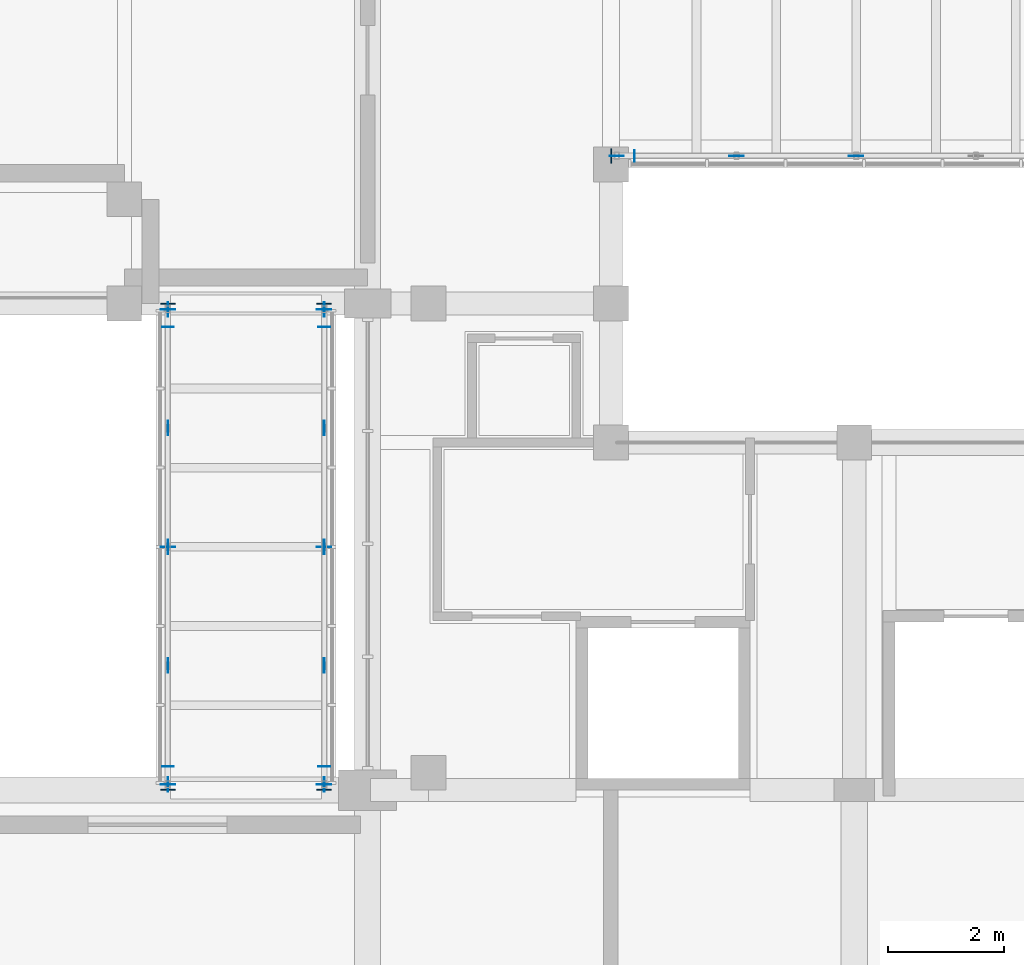
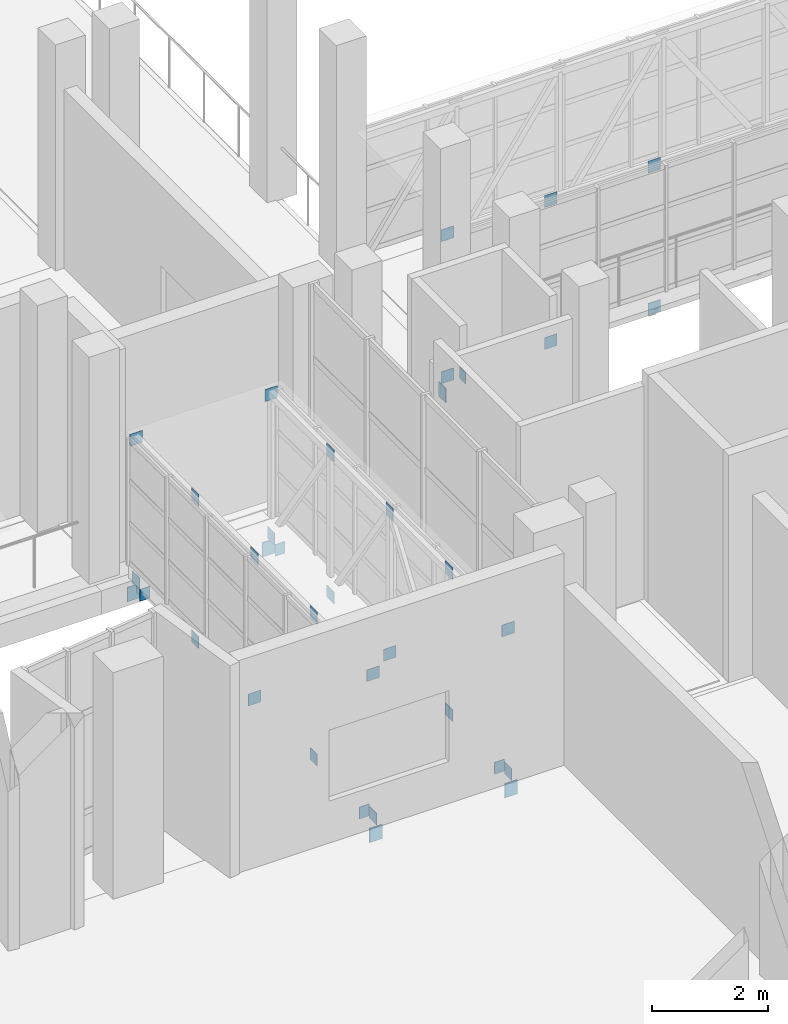
# One storey, part 38 of 86: 36 plates.
"""IFC4 building model written with IfcOpenShell, lengths in metres."""

import ifcopenshell
import ifcopenshell.guid

model = None  # the IFC model being written
_history = None  # IfcOwnerHistory: only IFC2X3 demands one
_inside = {}  # id of a spatial element -> (the spatial element, [elements in it])
_under = {}  # id of a project, library or spatial element -> (it, [spatial elements below it])
_declared = {}  # id of a project -> (the project, [libraries it declares])
_typed = {}  # id of a type object -> (the type object, [elements of that type])
_made_of = {}  # id of a material, layer set ... -> (it, [elements and type objects made of it])


def new_model(schema):
    """Start an empty IFC model of exactly this schema.

    Asked for "IFC4X3", IfcOpenShell would pick the latest addendum, in which some entities
    have other attributes; the version numbers below select the first issue.
    IFC2X3 requires an IfcOwnerHistory on every rooted entity: one is made here for all.
    """
    global model, _history
    if schema == "IFC4X3":
        model = ifcopenshell.file(schema_version=(4, 3, 0, 0))
    else:
        model = ifcopenshell.file(schema=schema)
    _inside.clear()
    _under.clear()
    _declared.clear()
    _typed.clear()
    _made_of.clear()
    _history = None
    if model.schema == "IFC2X3":
        org = make("IfcOrganization", Name="unknown")
        user = make(
            "IfcPersonAndOrganization",
            ThePerson=make("IfcPerson", FamilyName="unknown"),
            TheOrganization=org,
        )
        app = make(
            "IfcApplication",
            ApplicationDeveloper=org,
            Version="unknown",
            ApplicationFullName="unknown",
            ApplicationIdentifier="unknown",
        )
        _history = make(
            "IfcOwnerHistory",
            OwningUser=user,
            OwningApplication=app,
            ChangeAction="ADDED",
            CreationDate=0,
        )
    return model


def make(cls, **values):
    """One entity of the class cls with the attributes given. An attribute that is None is left unset."""
    return model.create_entity(
        cls, **{name: value for name, value in values.items() if value is not None}
    )


def rooted(cls, **values):
    """An entity with a GlobalId (a new one), such as an element, a storey or a relation."""
    return make(cls, GlobalId=ifcopenshell.guid.new(), OwnerHistory=_history, **values)


def si_unit(unit_type, name, prefix=None):
    """IfcSIUnit, for example si_unit("LENGTHUNIT", "METRE", prefix="MILLI")."""
    return make("IfcSIUnit", UnitType=unit_type, Prefix=prefix, Name=name)


def assignment(units):
    """IfcUnitAssignment: the units of a project."""
    return None if units is None else make("IfcUnitAssignment", Units=units)


def point(xyz):
    """IfcCartesianPoint."""
    return None if xyz is None else make("IfcCartesianPoint", Coordinates=xyz)


def direction(xyz):
    """IfcDirection."""
    return None if xyz is None else make("IfcDirection", DirectionRatios=xyz)


def frame(location, z_axis=None, x_axis=None):
    """IfcAxis2Placement3D, a coordinate frame: its origin and axes. An axis left out is left unset."""
    return make(
        "IfcAxis2Placement3D",
        Location=point(location),
        Axis=direction(z_axis),
        RefDirection=direction(x_axis),
    )


def frame_2d(location, x_axis=None):
    """IfcAxis2Placement2D, a coordinate frame in the plane: its origin and x axis."""
    return make(
        "IfcAxis2Placement2D", Location=point(location), RefDirection=direction(x_axis)
    )


def origin():
    """The frame at (0, 0, 0) with its axes left unset."""
    return frame((0.0, 0.0, 0.0))


def origin_2d():
    """The frame at (0, 0) in the plane with its x axis left unset."""
    return frame_2d((0.0, 0.0))


def place(relative_to, where):
    """IfcLocalPlacement: puts the frame where relative to a parent placement (None: the world)."""
    return make(
        "IfcLocalPlacement", PlacementRelTo=relative_to, RelativePlacement=where
    )


def context(
    kind, dimensions, precision=None, world=None, true_north=None, identifier=None
):
    """IfcGeometricRepresentationContext, for example the 3D "Model" context."""
    return make(
        "IfcGeometricRepresentationContext",
        ContextIdentifier=identifier,
        ContextType=kind,
        CoordinateSpaceDimension=dimensions,
        Precision=precision,
        WorldCoordinateSystem=world,
        TrueNorth=true_north,
    )


def subcontext(parent, identifier, kind, view, scale=None):
    """IfcGeometricRepresentationSubContext, for example "Body" below "Model"."""
    return make(
        "IfcGeometricRepresentationSubContext",
        ContextIdentifier=identifier,
        ContextType=kind,
        ParentContext=parent,
        TargetScale=scale,
        TargetView=view,
    )


def project(units=None, contexts=None):
    """IfcProject with its units and contexts."""
    return rooted(
        "IfcProject",
        Name="project",
        RepresentationContexts=contexts,
        UnitsInContext=assignment(units),
    )


def spatial(cls, under=None, at=None, **own):
    """A site, building, storey or space (cls), placed at a placement, below another one or the project."""
    s = rooted(cls, ObjectPlacement=at, **own)
    if under is not None:
        _under.setdefault(under.id(), (under, []))[1].append(s)
    return s


def profile(cls, at=None, kind="AREA", **sizes):
    """A parametric profile (cls). Its sizes go by their IFC names, for example OverallWidth=200.0."""
    return make(cls, ProfileType=kind, Position=at, **sizes)


def rectangle(**sizes):
    """IfcRectangleProfileDef."""
    return profile("IfcRectangleProfileDef", **sizes)


def extrude(swept, where, along, depth):
    """IfcExtrudedAreaSolid: the profile swept, set in the frame where, extruded along a direction by depth."""
    return make(
        "IfcExtrudedAreaSolid",
        SweptArea=swept,
        Position=where,
        ExtrudedDirection=direction(along),
        Depth=depth,
    )


def shape(context_of_items, identifier, shape_type, items):
    """IfcShapeRepresentation: the items that make up one representation, for example the "Body"."""
    return make(
        "IfcShapeRepresentation",
        ContextOfItems=context_of_items,
        RepresentationIdentifier=identifier,
        RepresentationType=shape_type,
        Items=items,
    )


def material(Name=None, Category=None):
    """IfcMaterial."""
    return make("IfcMaterial", Name=Name, Category=Category)


def layer(
    of_material, thickness, ventilated=None, Name=None, Category=None, Priority=None
):
    """IfcMaterialLayer: one layer of a wall or slab, of a material (None: an air gap)."""
    return make(
        "IfcMaterialLayer",
        Material=of_material,
        LayerThickness=thickness,
        IsVentilated=ventilated,
        Name=Name,
        Category=Category,
        Priority=Priority,
    )


def layer_set(layers, Name=None):
    """IfcMaterialLayerSet."""
    return make("IfcMaterialLayerSet", MaterialLayers=layers, LayerSetName=Name)


def made_of(thing, what):
    """Note that an element or type object is made of a material, layer set ...; save() writes the relation."""
    if what is not None:
        _made_of.setdefault(what.id(), (what, []))[1].append(thing)
    return thing


def type_object(cls, material=None, **own):
    """A type object (cls), such as IfcWallType, which elements share."""
    return made_of(rooted(cls, **own), material)


def element(
    cls,
    number,
    at=None,
    inside=None,
    cuts=None,
    type_object=None,
    material=None,
    context=None,
    identifier="Body",
    shape_type=None,
    held_by="IfcProductDefinitionShape",
    body=None,
    shapes=None,
    **own,
):
    """One element of the class cls, such as IfcWall. Its Tag is "e" and its number.

    at: its placement. inside: the storey or other place that contains it. cuts: it is an
    opening in that element (IfcRelVoidsElement). A single representation is given by context,
    identifier, shape_type and body (its items); several are given by shapes. held_by: the class
    of the entity that holds the representations. save() writes the other relations.
    """
    e = rooted(cls, Tag="e%d" % number, ObjectPlacement=at, **own)
    if body is not None:
        shapes = [shape(context, identifier, shape_type, body)]
    if shapes is not None:
        e.Representation = make(held_by, Representations=shapes)
    if inside is not None:
        _inside.setdefault(inside.id(), (inside, []))[1].append(e)
    if cuts is not None:
        rooted(
            "IfcRelVoidsElement", RelatingBuildingElement=cuts, RelatedOpeningElement=e
        )
    if type_object is not None:
        _typed.setdefault(type_object.id(), (type_object, []))[1].append(e)
    return made_of(e, material)


def aggregate(whole, parts):
    """IfcRelAggregates: a whole, such as a stair, and the parts it consists of."""
    return rooted("IfcRelAggregates", RelatingObject=whole, RelatedObjects=parts)


def save(model, path):
    """Write the relations noted so far, then the file.

    IfcRelAggregates (storeys below a building ...), IfcRelContainedInSpatialStructure (elements
    in a storey), IfcRelDefinesByType, IfcRelAssociatesMaterial and IfcRelDeclares: one each for
    every whole, place, type object, material and project.
    """
    for whole, parts in _under.values():
        aggregate(whole, parts)
    for where, things in _inside.values():
        rooted(
            "IfcRelContainedInSpatialStructure",
            RelatedElements=things,
            RelatingStructure=where,
        )
    for kind, things in _typed.values():
        rooted("IfcRelDefinesByType", RelatedObjects=things, RelatingType=kind)
    for what, things in _made_of.values():
        rooted("IfcRelAssociatesMaterial", RelatedObjects=things, RelatingMaterial=what)
    for by, libraries in _declared.values():
        rooted("IfcRelDeclares", RelatingContext=by, RelatedDefinitions=libraries)
    model.write(path)


model = new_model("IFC4")

# Units and contexts
model_context = context("Model", 3, precision=1e-05, world=origin(), true_north=direction((0.0, 1.0)))
body_context = subcontext(model_context, "Body", "Model", "MODEL_VIEW")
ifc_project = project(units=[si_unit("LENGTHUNIT", "METRE"), si_unit("AREAUNIT", "SQUARE_METRE"), si_unit("VOLUMEUNIT", "CUBIC_METRE"), si_unit("PLANEANGLEUNIT", "RADIAN"), si_unit("MASSUNIT", "GRAM", prefix="KILO")], contexts=[model_context])

# Site, building, storey
site_placement = place(None, origin())
site = spatial("IfcSite", under=ifc_project, at=site_placement, CompositionType="ELEMENT")
building_placement = place(site_placement, origin())
building = spatial("IfcBuilding", under=site, at=building_placement, Name="Kiln Court Media Centre", CompositionType="ELEMENT")
storey_placement = place(building_placement, frame((0.0, 0.0, 10.199951171875)))
storey = spatial("IfcBuildingStorey", under=building, at=storey_placement, Name="L02", CompositionType="ELEMENT", Elevation=10.199951171875)

# Plates
ifc_material_1 = material(Name="Steel ASTM A572 Gr 50", Category="steel")
ifc_layer_1 = layer(ifc_material_1, 0.011962890625)
ifc_layer_set_1 = layer_set([ifc_layer_1], Name="Steel ASTM A572 Gr 50 12x200x250 connection plate")
plate_type_1 = type_object("IfcPlateType", Name="Steel ASTM A572 Gr 50 12x200x250 connection plate", PredefinedType="USERDEFINED", material=ifc_layer_set_1)
plate_1_placement = place(storey_placement, frame((38.2060546875, 36.14990234375, -0.619873046875), z_axis=(0.0, 0.0, 1.0), x_axis=(1.0, 0.0, 0.0)))
element("IfcPlate", 1, at=plate_1_placement, inside=storey, type_object=plate_type_1, Name="bridge BR-L02-FOY-11 side truss 1 end 1 seat beam connection plate", ObjectType="CONNECTION PLATE", PredefinedType="USERDEFINED", context=body_context, shape_type="SweptSolid", body=[
    extrude(rectangle(XDim=0.011962890625, YDim=0.199951171875, at=origin_2d()), origin(), (0.0, 0.0, 1.0), 0.25),
])
ifc_material_2 = material(Name="Steel ASTM A572 Gr 50", Category="steel")
ifc_layer_2 = layer(ifc_material_2, 0.011962890625)
ifc_layer_set_2 = layer_set([ifc_layer_2], Name="Steel ASTM A572 Gr 50 200x12x250 connection plate")
plate_type_2 = type_object("IfcPlateType", Name="Steel ASTM A572 Gr 50 200x12x250 connection plate", PredefinedType="USERDEFINED", material=ifc_layer_set_2)
for number, where, z_axis, x_axis, name in (
    (2, (30.14990234375, 25.60595703125, -0.619873046875), (0.0, 0.0, 1.0), (1.0, 0.0, 0.0), "bridge BR-1 side truss 1 end 1 seat beam connection plate"),
    (3, (30.14990234375, 33.194091796875, -0.619873046875), (0.0, 0.0, 1.0), (1.0, 0.0, 0.0), "bridge BR-1 side truss 1 end 2 seat beam connection plate"),
    (4, (32.85009765625, 25.60595703125, -0.619873046875), (0.0, 0.0, 1.0), (1.0, 0.0, 0.0), "bridge BR-1 side truss 2 end 1 seat beam connection plate"),
    (5, (32.85009765625, 33.194091796875, -0.619873046875), (0.0, 0.0, 1.0), (1.0, 0.0, 0.0), "bridge BR-1 side truss 2 end 2 seat beam connection plate"),
):
    element("IfcPlate", number, at=place(storey_placement, frame(where, z_axis=z_axis, x_axis=x_axis)), inside=storey, type_object=plate_type_2, Name=name, ObjectType="CONNECTION PLATE", PredefinedType="USERDEFINED", context=body_context, shape_type="SweptSolid", body=[
        extrude(rectangle(XDim=0.199951171875, YDim=0.011962890625, at=origin_2d()), origin(), (0.0, 0.0, 1.0), 0.25),
    ])
ifc_material_3 = material(Name="Steel ASTM A572 Gr 50", Category="steel")
ifc_layer_3 = layer(ifc_material_3, 0.02001953125)
ifc_layer_set_3 = layer_set([ifc_layer_3], Name="Steel ASTM A572 Gr 50 20x250x300 seat bracket plate")
plate_type_3 = type_object("IfcPlateType", Name="Steel ASTM A572 Gr 50 20x250x300 seat bracket plate", PredefinedType="USERDEFINED", material=ifc_layer_set_3)
plate_2_placement = place(storey_placement, frame((37.804931640625, 36.14990234375, -0.8662109375), z_axis=(0.0, 0.0, 1.0), x_axis=(1.0, 0.0, 0.0)))
element("IfcPlate", 6, at=plate_2_placement, inside=storey, type_object=plate_type_3, Name="bridge BR-L02-FOY-11 side truss 1 end 1 seat bracket plate", ObjectType="SEAT BRACKET PLATE", PredefinedType="USERDEFINED", context=body_context, shape_type="SweptSolid", body=[
    extrude(rectangle(XDim=0.02001953125, YDim=0.25, at=origin_2d()), origin(), (0.0, 0.0, 1.0), 0.300048828125),
])
ifc_material_4 = material(Name="Steel ASTM A572 Gr 50", Category="steel")
ifc_layer_4 = layer(ifc_material_4, 0.02001953125)
ifc_layer_set_4 = layer_set([ifc_layer_4], Name="Steel ASTM A572 Gr 50 250x20x300 seat bracket plate")
plate_type_4 = type_object("IfcPlateType", Name="Steel ASTM A572 Gr 50 250x20x300 seat bracket plate", PredefinedType="USERDEFINED", material=ifc_layer_set_4)
for number, where, z_axis, x_axis, name in (
    (7, (30.14990234375, 25.205078125, -0.8662109375), (0.0, 0.0, 1.0), (1.0, 0.0, 0.0), "bridge BR-1 side truss 1 end 1 seat bracket plate"),
    (8, (30.14990234375, 33.594970703125, -0.8662109375), (0.0, 0.0, 1.0), (1.0, 0.0, 0.0), "bridge BR-1 side truss 1 end 2 seat bracket plate"),
    (9, (32.85009765625, 25.205078125, -0.8662109375), (0.0, 0.0, 1.0), (1.0, 0.0, 0.0), "bridge BR-1 side truss 2 end 1 seat bracket plate"),
    (10, (32.85009765625, 33.594970703125, -0.8662109375), (0.0, 0.0, 1.0), (1.0, 0.0, 0.0), "bridge BR-1 side truss 2 end 2 seat bracket plate"),
):
    element("IfcPlate", number, at=place(storey_placement, frame(where, z_axis=z_axis, x_axis=x_axis)), inside=storey, type_object=plate_type_4, Name=name, ObjectType="SEAT BRACKET PLATE", PredefinedType="USERDEFINED", context=body_context, shape_type="SweptSolid", body=[
        extrude(rectangle(XDim=0.25, YDim=0.02001953125, at=origin_2d()), origin(), (0.0, 0.0, 1.0), 0.300048828125),
    ])
ifc_material_5 = material(Name="Steel ASTM A572 Gr 50", Category="steel")
ifc_layer_5 = layer(ifc_material_5, 0.010009765625)
ifc_layer_set_5 = layer_set([ifc_layer_5], Name="Steel ASTM A572 Gr 50 250x250x10 connection plate BR")
plate_type_5 = type_object("IfcPlateType", Name="Steel ASTM A572 Gr 50 250x250x10 connection plate BR", PredefinedType="USERDEFINED", material=ifc_layer_set_5)
plate_3_placement = place(storey_placement, frame((30.14990234375, 25.300048828125, -0.52490234375), z_axis=(0.0, 0.0, 1.0), x_axis=(1.0, 0.0, 0.0)))
element("IfcPlate", 11, at=plate_3_placement, inside=storey, type_object=plate_type_5, Name="BR node connection plate", ObjectType="CONNECTION PLATE", PredefinedType="USERDEFINED", context=body_context, shape_type="SweptSolid", body=[
    extrude(rectangle(XDim=0.010009765625, YDim=0.25, at=origin_2d()), origin(), (0.0, 0.0, 1.0), 0.25),
])
plate_4_placement = place(storey_placement, frame((30.14990234375, 25.300048828125, 2.47509765625), z_axis=(0.0, 0.0, 1.0), x_axis=(1.0, 0.0, 0.0)))
element("IfcPlate", 12, at=plate_4_placement, inside=storey, type_object=plate_type_5, Name="BR node connection plate", ObjectType="CONNECTION PLATE", PredefinedType="USERDEFINED", context=body_context, shape_type="SweptSolid", body=[
    extrude(rectangle(XDim=0.25, YDim=0.010009765625, at=origin_2d()), origin(), (0.0, 0.0, 1.0), 0.25),
])
for number, where, z_axis, x_axis, name in (
    (13, (30.14990234375, 27.35009765625, -0.52490234375), (0.0, 0.0, 1.0), (1.0, 0.0, 0.0), "BR node connection plate"),
    (14, (30.14990234375, 27.35009765625, 2.47509765625), (0.0, 0.0, 1.0), (1.0, 0.0, 0.0), "BR node connection plate"),
):
    element("IfcPlate", number, at=place(storey_placement, frame(where, z_axis=z_axis, x_axis=x_axis)), inside=storey, type_object=plate_type_5, Name=name, ObjectType="CONNECTION PLATE", PredefinedType="USERDEFINED", context=body_context, shape_type="SweptSolid", body=[
        extrude(rectangle(XDim=0.010009765625, YDim=0.25, at=origin_2d()), origin(), (0.0, 0.0, 1.0), 0.25),
    ])
plate_5_placement = place(storey_placement, frame((30.14990234375, 29.39990234375, -0.52490234375), z_axis=(0.0, 0.0, 1.0), x_axis=(1.0, 0.0, 0.0)))
element("IfcPlate", 15, at=plate_5_placement, inside=storey, type_object=plate_type_5, Name="BR node connection plate", ObjectType="CONNECTION PLATE", PredefinedType="USERDEFINED", context=body_context, shape_type="SweptSolid", body=[
    extrude(rectangle(XDim=0.25, YDim=0.010009765625, at=origin_2d()), origin(), (0.0, 0.0, 1.0), 0.25),
])
for number, where, z_axis, x_axis, name in (
    (16, (30.14990234375, 29.39990234375, 2.47509765625), (0.0, 0.0, 1.0), (1.0, 0.0, 0.0), "BR node connection plate"),
    (17, (30.14990234375, 31.449951171875, -0.52490234375), (0.0, 0.0, 1.0), (1.0, 0.0, 0.0), "BR node connection plate"),
    (18, (30.14990234375, 31.449951171875, 2.47509765625), (0.0, 0.0, 1.0), (1.0, 0.0, 0.0), "BR node connection plate"),
    (19, (30.14990234375, 33.5, -0.52490234375), (0.0, 0.0, 1.0), (1.0, 0.0, 0.0), "BR node connection plate"),
):
    element("IfcPlate", number, at=place(storey_placement, frame(where, z_axis=z_axis, x_axis=x_axis)), inside=storey, type_object=plate_type_5, Name=name, ObjectType="CONNECTION PLATE", PredefinedType="USERDEFINED", context=body_context, shape_type="SweptSolid", body=[
        extrude(rectangle(XDim=0.010009765625, YDim=0.25, at=origin_2d()), origin(), (0.0, 0.0, 1.0), 0.25),
    ])
plate_6_placement = place(storey_placement, frame((30.14990234375, 33.5, 2.47509765625), z_axis=(0.0, 0.0, 1.0), x_axis=(1.0, 0.0, 0.0)))
element("IfcPlate", 20, at=plate_6_placement, inside=storey, type_object=plate_type_5, Name="BR node connection plate", ObjectType="CONNECTION PLATE", PredefinedType="USERDEFINED", context=body_context, shape_type="SweptSolid", body=[
    extrude(rectangle(XDim=0.25, YDim=0.010009765625, at=origin_2d()), origin(), (0.0, 0.0, 1.0), 0.25),
])
plate_7_placement = place(storey_placement, frame((32.85009765625, 25.300048828125, -0.52490234375), z_axis=(0.0, 0.0, 1.0), x_axis=(1.0, 0.0, 0.0)))
element("IfcPlate", 21, at=plate_7_placement, inside=storey, type_object=plate_type_5, Name="BR node connection plate", ObjectType="CONNECTION PLATE", PredefinedType="USERDEFINED", context=body_context, shape_type="SweptSolid", body=[
    extrude(rectangle(XDim=0.010009765625, YDim=0.25, at=origin_2d()), origin(), (0.0, 0.0, 1.0), 0.25),
])
plate_8_placement = place(storey_placement, frame((32.85009765625, 25.300048828125, 2.47509765625), z_axis=(0.0, 0.0, 1.0), x_axis=(1.0, 0.0, 0.0)))
element("IfcPlate", 22, at=plate_8_placement, inside=storey, type_object=plate_type_5, Name="BR node connection plate", ObjectType="CONNECTION PLATE", PredefinedType="USERDEFINED", context=body_context, shape_type="SweptSolid", body=[
    extrude(rectangle(XDim=0.25, YDim=0.010009765625, at=origin_2d()), origin(), (0.0, 0.0, 1.0), 0.25),
])
for number, where, z_axis, x_axis, name in (
    (23, (32.85009765625, 27.35009765625, -0.52490234375), (0.0, 0.0, 1.0), (1.0, 0.0, 0.0), "BR node connection plate"),
    (24, (32.85009765625, 27.35009765625, 2.47509765625), (0.0, 0.0, 1.0), (1.0, 0.0, 0.0), "BR node connection plate"),
):
    element("IfcPlate", number, at=place(storey_placement, frame(where, z_axis=z_axis, x_axis=x_axis)), inside=storey, type_object=plate_type_5, Name=name, ObjectType="CONNECTION PLATE", PredefinedType="USERDEFINED", context=body_context, shape_type="SweptSolid", body=[
        extrude(rectangle(XDim=0.010009765625, YDim=0.25, at=origin_2d()), origin(), (0.0, 0.0, 1.0), 0.25),
    ])
plate_9_placement = place(storey_placement, frame((32.85009765625, 29.39990234375, -0.52490234375), z_axis=(0.0, 0.0, 1.0), x_axis=(1.0, 0.0, 0.0)))
element("IfcPlate", 25, at=plate_9_placement, inside=storey, type_object=plate_type_5, Name="BR node connection plate", ObjectType="CONNECTION PLATE", PredefinedType="USERDEFINED", context=body_context, shape_type="SweptSolid", body=[
    extrude(rectangle(XDim=0.25, YDim=0.010009765625, at=origin_2d()), origin(), (0.0, 0.0, 1.0), 0.25),
])
for number, where, z_axis, x_axis, name in (
    (26, (32.85009765625, 29.39990234375, 2.47509765625), (0.0, 0.0, 1.0), (1.0, 0.0, 0.0), "BR node connection plate"),
    (27, (32.85009765625, 31.449951171875, -0.52490234375), (0.0, 0.0, 1.0), (1.0, 0.0, 0.0), "BR node connection plate"),
    (28, (32.85009765625, 31.449951171875, 2.47509765625), (0.0, 0.0, 1.0), (1.0, 0.0, 0.0), "BR node connection plate"),
    (29, (32.85009765625, 33.5, -0.52490234375), (0.0, 0.0, 1.0), (1.0, 0.0, 0.0), "BR node connection plate"),
):
    element("IfcPlate", number, at=place(storey_placement, frame(where, z_axis=z_axis, x_axis=x_axis)), inside=storey, type_object=plate_type_5, Name=name, ObjectType="CONNECTION PLATE", PredefinedType="USERDEFINED", context=body_context, shape_type="SweptSolid", body=[
        extrude(rectangle(XDim=0.010009765625, YDim=0.25, at=origin_2d()), origin(), (0.0, 0.0, 1.0), 0.25),
    ])
for number, where, z_axis, x_axis, name in (
    (30, (32.85009765625, 33.5, 2.47509765625), (0.0, 0.0, 1.0), (1.0, 0.0, 0.0), "BR node connection plate"),
    (31, (37.89990234375, 36.14990234375, -0.52490234375), (0.0, 0.0, 1.0), (1.0, 0.0, 0.0), "BR node connection plate"),
    (32, (37.89990234375, 36.14990234375, 2.47509765625), (0.0, 0.0, 1.0), (1.0, 0.0, 0.0), "BR node connection plate"),
    (33, (39.966796875, 36.14990234375, -0.52490234375), (0.0, 0.0, 1.0), (1.0, 0.0, 0.0), "BR node connection plate"),
    (34, (39.966796875, 36.14990234375, 2.47509765625), (0.0, 0.0, 1.0), (1.0, 0.0, 0.0), "BR node connection plate"),
    (35, (42.033203125, 36.14990234375, -0.52490234375), (0.0, 0.0, 1.0), (1.0, 0.0, 0.0), "BR node connection plate"),
    (36, (42.033203125, 36.14990234375, 2.47509765625), (0.0, 0.0, 1.0), (1.0, 0.0, 0.0), "BR node connection plate"),
):
    element("IfcPlate", number, at=place(storey_placement, frame(where, z_axis=z_axis, x_axis=x_axis)), inside=storey, type_object=plate_type_5, Name=name, ObjectType="CONNECTION PLATE", PredefinedType="USERDEFINED", context=body_context, shape_type="SweptSolid", body=[
        extrude(rectangle(XDim=0.25, YDim=0.010009765625, at=origin_2d()), origin(), (0.0, 0.0, 1.0), 0.25),
    ])

save(model, "model.ifc")
